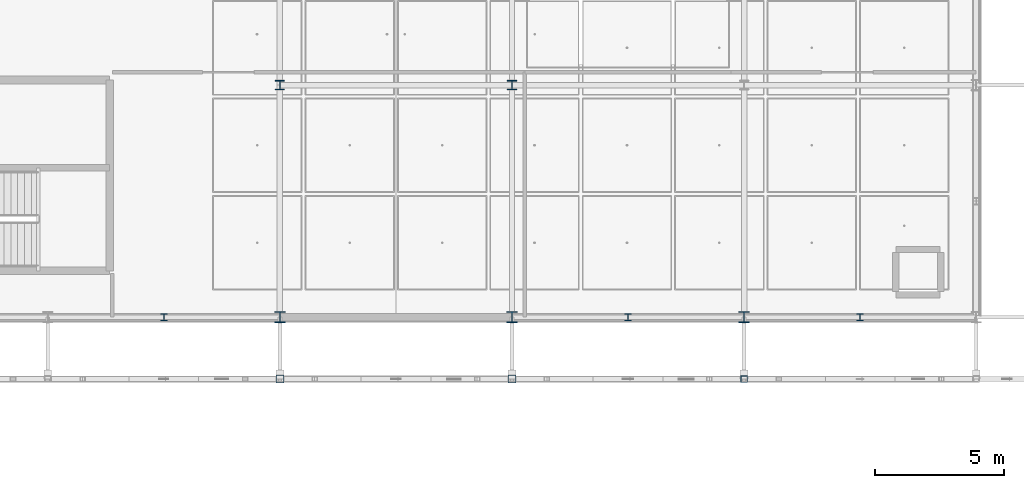
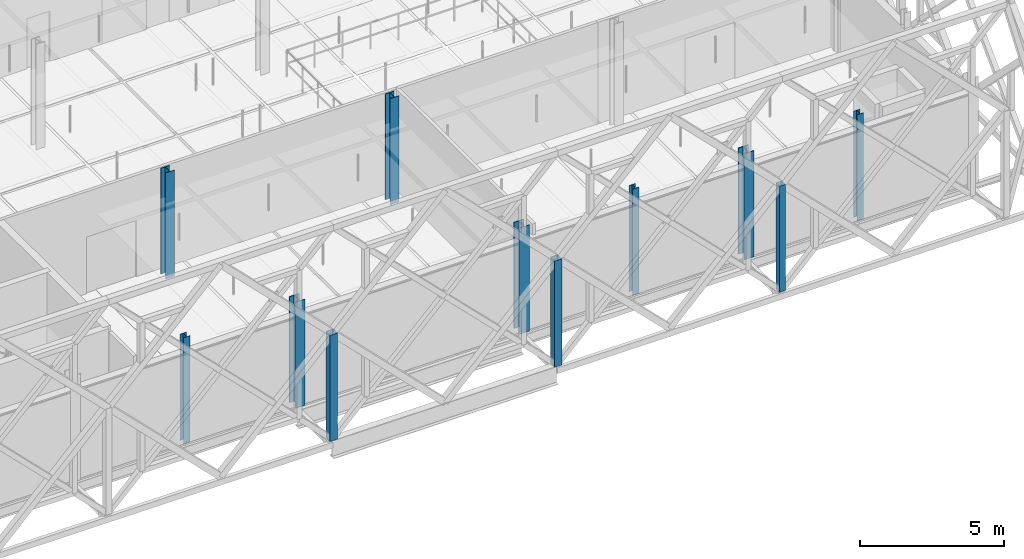
# One storey, part 5 of 140: 11 columns.
"""IFC4 building model written with IfcOpenShell, lengths in metres."""

from ifc_helpers import new_model, si_unit, direction, frame, origin, origin_2d, place, context, subcontext, project, spatial, hollow_rectangle, i_section, extrude, material, material_profile, profile_set, type_object, element, save


model = new_model("IFC4")

# Units and contexts
model_context = context("Model", 3, precision=1e-05, world=origin(), true_north=direction((0.0, 1.0)))
body_context = subcontext(model_context, "Body", "Model", "MODEL_VIEW")
ifc_project = project(units=[si_unit("LENGTHUNIT", "METRE"), si_unit("AREAUNIT", "SQUARE_METRE"), si_unit("VOLUMEUNIT", "CUBIC_METRE"), si_unit("PLANEANGLEUNIT", "RADIAN"), si_unit("MASSUNIT", "GRAM", prefix="KILO"), si_unit("THERMODYNAMICTEMPERATUREUNIT", "KELVIN"), si_unit("POWERUNIT", "WATT")], contexts=[model_context])

# Site, building, storey
site_placement = place(None, origin())
site = spatial("IfcSite", under=ifc_project, at=site_placement, CompositionType="ELEMENT")
building_placement = place(site_placement, origin())
building = spatial("IfcBuilding", under=site, at=building_placement, Name="Tallowbark Science Centre", CompositionType="ELEMENT")
storey_placement = place(building_placement, frame((0.0, 0.0, 9.89990234375)))
storey = spatial("IfcBuildingStorey", under=building, at=storey_placement, Name="L02", CompositionType="ELEMENT", Elevation=9.89990234375)

# Columns
ifc_material_1 = material(Name="White Architectural Painted Steel Grade C350L0 (350 MPa)", Category="steel")
ifc_material_profile_1 = material_profile(ifc_material_1, hollow_rectangle(XDim=0.25, YDim=0.25, WallThickness=0.009033203125, at=origin_2d()), Name="250x250x9.0SHS")
ifc_profile_set_1 = profile_set([ifc_material_profile_1], Name="White Architectural Painted Steel Grade C350L0 (350 MPa)")
column_type_1 = type_object("IfcColumnType", Name="COL-SCR200", PredefinedType="COLUMN", material=ifc_profile_set_1)
column_placement = place(storey_placement, frame((94.5, 2.10009765625, 0.0), z_axis=(0.0, 0.0, 1.0), x_axis=(1.0, 0.0, 0.0)))
element("IfcColumn", 1, at=column_placement, inside=storey, type_object=column_type_1, Name="Column SCR-S05 L02", PredefinedType="COLUMN", context=body_context, shape_type="SweptSolid", body=[
    extrude(hollow_rectangle(XDim=0.25, YDim=0.25, WallThickness=0.009033203125, at=origin_2d()), origin(), (0.0, 0.0, 1.0), 4.5),
])
ifc_material_profile_2 = material_profile(ifc_material_1, hollow_rectangle(XDim=0.300048828125, YDim=0.300048828125, WallThickness=0.010009765625, at=origin_2d()), Name="300x300x10.0SHS")
ifc_profile_set_2 = profile_set([ifc_material_profile_2], Name="White Architectural Painted Steel Grade C350L0 (350 MPa)")
column_type_2 = type_object("IfcColumnType", Name="COL-SCR300", PredefinedType="COLUMN", material=ifc_profile_set_2)
for number, where, z_axis, x_axis, name in (
    (2, (76.5, 2.10009765625, 0.0), (0.0, 0.0, 1.0), (1.0, 0.0, 0.0), "Column SCR-S03 L02"),
    (3, (85.5, 2.10009765625, 0.0), (0.0, 0.0, 1.0), (1.0, 0.0, 0.0), "Column SCR-S04 L02"),
):
    element("IfcColumn", number, at=place(storey_placement, frame(where, z_axis=z_axis, x_axis=x_axis)), inside=storey, type_object=column_type_2, Name=name, PredefinedType="COLUMN", context=body_context, shape_type="SweptSolid", body=[
        extrude(hollow_rectangle(XDim=0.300048828125, YDim=0.300048828125, WallThickness=0.010009765625, at=origin_2d()), origin(), (0.0, 0.0, 1.0), 4.5),
    ])
ifc_material_2 = material(Name="Structural Steel Grade 300PLUS (300 MPa)", Category="steel")
ifc_material_profile_3 = material_profile(ifc_material_2, i_section(OverallWidth=0.35009765625, OverallDepth=0.35888671875, WebThickness=0.01611328125, FlangeThickness=0.02392578125, FilletRadius=0.013916015625, at=origin_2d()), Name="350WC197")
ifc_profile_set_3 = profile_set([ifc_material_profile_3], Name="Structural Steel Grade 300PLUS (300 MPa)")
column_type_3 = type_object("IfcColumnType", Name="COL-WC350", PredefinedType="COLUMN", material=ifc_profile_set_3)
for number, where, z_axis, x_axis, name in (
    (4, (76.5, 13.5, 0.0), (0.0, 0.0, 1.0), (1.0, 0.0, 0.0), "Column CUB-M2_1 L02"),
    (5, (85.5, 13.5, 0.0), (0.0, 0.0, 1.0), (1.0, 0.0, 0.0), "Column CUB-M3_1 L02"),
):
    element("IfcColumn", number, at=place(storey_placement, frame(where, z_axis=z_axis, x_axis=x_axis)), inside=storey, type_object=column_type_3, Name=name, PredefinedType="COLUMN", context=body_context, shape_type="SweptSolid", body=[
        extrude(i_section(OverallWidth=0.35009765625, OverallDepth=0.35888671875, WebThickness=0.01611328125, FlangeThickness=0.02392578125, FilletRadius=0.013916015625, at=origin_2d()), origin(), (0.0, 0.0, 1.0), 4.5),
    ])
ifc_material_profile_4 = material_profile(ifc_material_2, i_section(OverallWidth=0.39990234375, OverallDepth=0.427978515625, WebThickness=0.02001953125, FlangeThickness=0.028076171875, FilletRadius=0.01611328125, at=origin_2d()), Name="400WC270")
ifc_profile_set_4 = profile_set([ifc_material_profile_4], Name="Structural Steel Grade 300PLUS (300 MPa)")
column_type_4 = type_object("IfcColumnType", Name="COL-WC400", PredefinedType="COLUMN", material=ifc_profile_set_4)
for number, where, z_axis, x_axis, name in (
    (6, (76.5, 4.5, 0.0), (0.0, 0.0, 1.0), (1.0, 0.0, 0.0), "Column CUB-M2_0 L02"),
    (7, (85.5, 4.5, 0.0), (0.0, 0.0, 1.0), (1.0, 0.0, 0.0), "Column CUB-M3_0 L02"),
    (8, (94.5, 4.5, 0.0), (0.0, 0.0, 1.0), (1.0, 0.0, 0.0), "Column CUB-M4_0 L02"),
):
    element("IfcColumn", number, at=place(storey_placement, frame(where, z_axis=z_axis, x_axis=x_axis)), inside=storey, type_object=column_type_4, Name=name, PredefinedType="COLUMN", context=body_context, shape_type="SweptSolid", body=[
        extrude(i_section(OverallWidth=0.39990234375, OverallDepth=0.427978515625, WebThickness=0.02001953125, FlangeThickness=0.028076171875, FilletRadius=0.01611328125, at=origin_2d()), origin(), (0.0, 0.0, 1.0), 4.5),
    ])
ifc_material_profile_5 = material_profile(ifc_material_2, i_section(OverallWidth=0.256103515625, OverallDepth=0.260009765625, WebThickness=0.010498046875, FlangeThickness=0.017333984375, FilletRadius=0.013916015625, at=origin_2d()), Name="250UC89.5")
ifc_profile_set_5 = profile_set([ifc_material_profile_5], Name="Structural Steel Grade 300PLUS (300 MPa)")
column_type_5 = type_object("IfcColumnType", Name="PIL-UC250", PredefinedType="PILASTER", material=ifc_profile_set_5)
for number, where, z_axis, x_axis, name in (
    (9, (72.0, 4.5, 0.0), (0.0, 0.0, 1.0), (1.0, 0.0, 0.0), "Column CUB-PS-1 L02"),
    (10, (90.0, 4.5, 0.0), (0.0, 0.0, 1.0), (1.0, 0.0, 0.0), "Column CUB-PS-3 L02"),
    (11, (99.0, 4.5, 0.0), (0.0, 0.0, 1.0), (1.0, 0.0, 0.0), "Column CUB-PS-4 L02"),
):
    element("IfcColumn", number, at=place(storey_placement, frame(where, z_axis=z_axis, x_axis=x_axis)), inside=storey, type_object=column_type_5, Name=name, PredefinedType="PILASTER", context=body_context, shape_type="SweptSolid", body=[
        extrude(i_section(OverallWidth=0.256103515625, OverallDepth=0.260009765625, WebThickness=0.010498046875, FlangeThickness=0.017333984375, FilletRadius=0.013916015625, at=origin_2d()), origin(), (0.0, 0.0, 1.0), 4.5),
    ])

save(model, "model.ifc")
